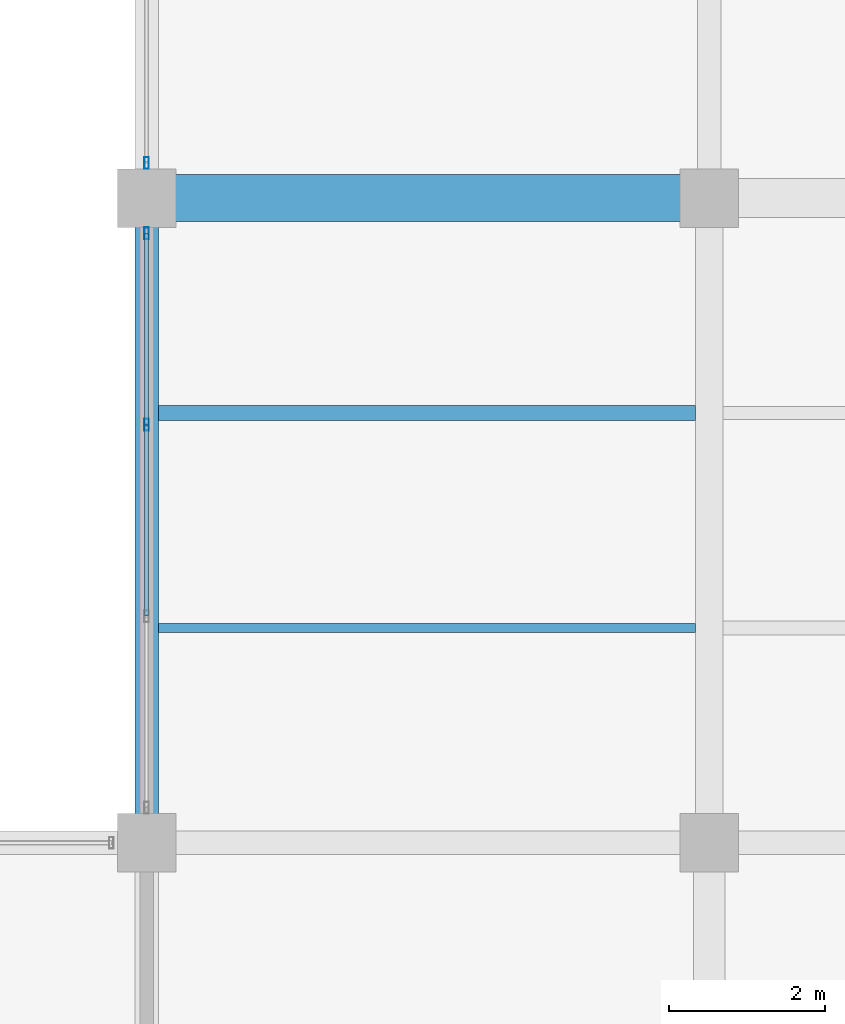
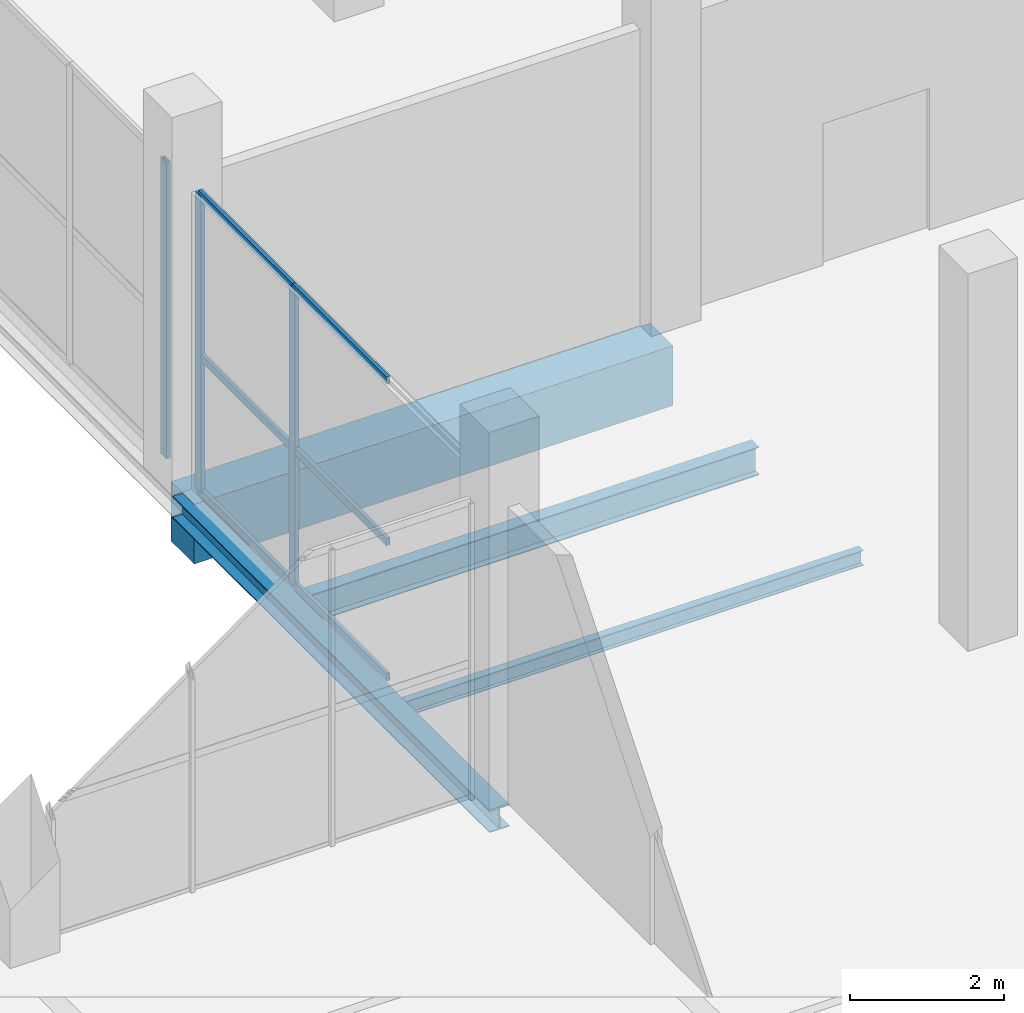
# One storey, part 106 of 144: 9 members, 4 beams, 2 elements without a shape of their own.
"""IFC4 building model written with IfcOpenShell, lengths in metres."""

from ifc_helpers import new_model, si_unit, direction, frame, origin, origin_2d, place, context, subcontext, project, spatial, rectangle, hollow_rectangle, i_section, extrude, material, layer, layer_set, material_profile, profile_set, type_object, element, aggregate, save


model = new_model("IFC4")

# Units and contexts
model_context = context("Model", 3, precision=1e-05, world=origin(), true_north=direction((0.0, 1.0)))
body_context = subcontext(model_context, "Body", "Model", "MODEL_VIEW")
ifc_project = project(units=[si_unit("LENGTHUNIT", "METRE"), si_unit("AREAUNIT", "SQUARE_METRE"), si_unit("VOLUMEUNIT", "CUBIC_METRE"), si_unit("PLANEANGLEUNIT", "RADIAN"), si_unit("MASSUNIT", "GRAM", prefix="KILO")], contexts=[model_context])

# Site, building, storey
site_placement = place(None, origin())
site = spatial("IfcSite", under=ifc_project, at=site_placement, CompositionType="ELEMENT")
building_placement = place(site_placement, origin())
building = spatial("IfcBuilding", under=site, at=building_placement, Name="Sundgate Opera House", CompositionType="ELEMENT")
storey_placement = place(building_placement, origin())
storey = spatial("IfcBuildingStorey", under=building, at=storey_placement, Name="L00", CompositionType="ELEMENT", Elevation=0.0)

# Beams
ifc_material_1 = material(Name="Steel S355J2", Category="steel")
ifc_material_profile_1 = material_profile(ifc_material_1, i_section(OverallWidth=0.300048828125, OverallDepth=0.35009765625, WebThickness=0.010009765625, FlangeThickness=0.017578125, at=origin_2d()), Name="HEA 360")
ifc_profile_set_1 = profile_set([ifc_material_profile_1], Name="Steel S355J2")
beam_type_1 = type_object("IfcBeamType", Name="BM-GR-HEA360", PredefinedType="BEAM", material=ifc_profile_set_1)
beam_1_placement = place(storey_placement, frame((153.0, 87.0, -0.4951171875), z_axis=(0.0, 1.0, 0.0), x_axis=(-1.0, 0.0, 0.0)))
element("IfcBeam", 1, at=beam_1_placement, inside=storey, type_object=beam_type_1, Name="L00 Primary N-S Girder B0291", PredefinedType="BEAM", context=body_context, shape_type="SweptSolid", body=[
    extrude(i_section(OverallWidth=0.300048828125, OverallDepth=0.35009765625, WebThickness=0.010009765625, FlangeThickness=0.017578125, at=origin_2d()), origin(), (0.0, 0.0, 1.0), 8.25),
])
ifc_material_2 = material(Name="Steel S355J2", Category="steel")
ifc_material_profile_2 = material_profile(ifc_material_2, i_section(OverallWidth=0.1201171875, OverallDepth=0.239990234375, WebThickness=0.006103515625, FlangeThickness=0.009765625, at=origin_2d()), Name="IPE 240")
ifc_profile_set_2 = profile_set([ifc_material_profile_2], Name="Steel S355J2")
beam_type_2 = type_object("IfcBeamType", Name="BM-JS-IPE240", PredefinedType="JOIST", material=ifc_profile_set_2)
beam_2_placement = place(storey_placement, frame((153.14990234375, 89.75, -0.43994140625), z_axis=(1.0, 0.0, 0.0), x_axis=(0.0, 1.0, 0.0)))
element("IfcBeam", 2, at=beam_2_placement, inside=storey, type_object=beam_type_2, Name="L00 Secondary Floor Joist B0944", PredefinedType="JOIST", context=body_context, shape_type="SweptSolid", body=[
    extrude(i_section(OverallWidth=0.1201171875, OverallDepth=0.239990234375, WebThickness=0.006103515625, FlangeThickness=0.009765625, at=origin_2d()), origin(), (0.0, 0.0, 1.0), 6.875),
])
ifc_material_3 = material(Name="Steel S355J2", Category="steel")
ifc_material_profile_3 = material_profile(ifc_material_3, i_section(OverallWidth=0.18994140625, OverallDepth=0.449951171875, WebThickness=0.009521484375, FlangeThickness=0.0146484375, at=origin_2d()), Name="IPE 450")
ifc_profile_set_3 = profile_set([ifc_material_profile_3], Name="Steel S355J2")
beam_type_3 = type_object("IfcBeamType", Name="BM-JS-IPE450", PredefinedType="JOIST", material=ifc_profile_set_3)
beam_3_placement = place(storey_placement, frame((153.14990234375, 92.5, -0.544921875), z_axis=(1.0, 0.0, 0.0), x_axis=(0.0, 1.0, 0.0)))
element("IfcBeam", 3, at=beam_3_placement, inside=storey, type_object=beam_type_3, Name="L00 Secondary Floor Joist B0945", PredefinedType="JOIST", context=body_context, shape_type="SweptSolid", body=[
    extrude(i_section(OverallWidth=0.18994140625, OverallDepth=0.449951171875, WebThickness=0.009521484375, FlangeThickness=0.0146484375, at=origin_2d()), origin(), (0.0, 0.0, 1.0), 6.875),
])
ifc_material_4 = material(Name="Concrete C40/50", Category="concrete")
ifc_material_profile_4 = material_profile(ifc_material_4, rectangle(XDim=0.60009765625, YDim=0.949951171875, at=origin_2d()), Name="RC 600x950")
ifc_profile_set_4 = profile_set([ifc_material_profile_4], Name="Concrete C40/50")
beam_type_4 = type_object("IfcBeamType", Name="BM-RC-600x950", PredefinedType="BEAM", material=ifc_profile_set_4)
beam_4_placement = place(storey_placement, frame((153.0, 95.25, -0.794921875), z_axis=(1.0, 0.0, 0.0), x_axis=(0.0, 1.0, 0.0)))
element("IfcBeam", 4, at=beam_4_placement, inside=storey, type_object=beam_type_4, Name="L00 Primary E-W Girder B0537", PredefinedType="BEAM", context=body_context, shape_type="SweptSolid", body=[
    extrude(rectangle(XDim=0.60009765625, YDim=0.949951171875, at=origin_2d()), origin(), (0.0, 0.0, 1.0), 7.199951171875),
])

# Curtain wall, members
ifc_material_5 = material(Name="Anodized aluminium and low-iron glass", Category="aluminium")
ifc_layer = layer(ifc_material_5, 0.159912109375)
ifc_layer_set = layer_set([ifc_layer], Name="Anodized aluminium and low-iron glass")
curtain_wall_type = type_object("IfcCurtainWallType", Name="CW-STUDIO-DARK", PredefinedType="NOTDEFINED", material=ifc_layer_set)
curtain_wall_1_placement = place(storey_placement, origin())
curtain_wall_1 = element("IfcCurtainWall", 5, at=curtain_wall_1_placement, inside=storey, type_object=curtain_wall_type, Name="L00 Curtain Wall CW089", PredefinedType="NOTDEFINED")
ifc_material_6 = material(Name="Anodized aluminium EN AW-6063", Category="aluminium")
ifc_material_profile_5 = material_profile(ifc_material_6, hollow_rectangle(XDim=0.06005859375, YDim=0.14990234375, WallThickness=0.00390625, at=origin_2d()), Name="CWM 150x60x4")
ifc_profile_set_5 = profile_set([ifc_material_profile_5], Name="Anodized aluminium EN AW-6063")
member_type_1 = type_object("IfcMemberType", Name="CWM-ALU-150x60", PredefinedType="MULLION", material=ifc_profile_set_5)
member_1_placement = place(storey_placement, frame((153.0, 94.800048828125, 0.0), z_axis=(0.0, 0.0, 1.0), x_axis=(1.0, 0.0, 0.0)))
member_1 = element("IfcMember", 6, at=member_1_placement, type_object=member_type_1, Name="CW089 Mullion 1", PredefinedType="MULLION", context=body_context, shape_type="SweptSolid", body=[
    extrude(hollow_rectangle(XDim=0.06005859375, YDim=0.14990234375, WallThickness=0.00390625, at=origin_2d()), origin(), (0.0, 0.0, 1.0), 4.715087890625),
])
member_2_placement = place(storey_placement, frame((153.0, 92.35009765625, 0.0), z_axis=(0.0, 0.0, 1.0), x_axis=(1.0, 0.0, 0.0)))
member_2 = element("IfcMember", 7, at=member_2_placement, type_object=member_type_1, Name="CW089 Mullion 2", PredefinedType="MULLION", context=body_context, shape_type="SweptSolid", body=[
    extrude(hollow_rectangle(XDim=0.06005859375, YDim=0.14990234375, WallThickness=0.00390625, at=origin_2d()), origin(), (0.0, 0.0, 1.0), 4.715087890625),
])

# Curtain wall, member
curtain_wall_2_placement = place(storey_placement, origin())
curtain_wall_2 = element("IfcCurtainWall", 8, at=curtain_wall_2_placement, inside=storey, type_object=curtain_wall_type, Name="L00 Curtain Wall CW091", PredefinedType="NOTDEFINED")
member_3_placement = place(storey_placement, frame((153.0, 95.699951171875, 0.0), z_axis=(0.0, 0.0, 1.0), x_axis=(1.0, 0.0, 0.0)))
member_3 = element("IfcMember", 9, at=member_3_placement, type_object=member_type_1, Name="CW091 Mullion 4", PredefinedType="MULLION", context=body_context, shape_type="SweptSolid", body=[
    extrude(hollow_rectangle(XDim=0.06005859375, YDim=0.14990234375, WallThickness=0.00390625, at=origin_2d()), origin(), (0.0, 0.0, 1.0), 4.715087890625),
])
aggregate(curtain_wall_2, [member_3])

# Member
ifc_material_7 = material(Name="Anodized aluminium EN AW-6063", Category="aluminium")
ifc_material_profile_6 = material_profile(ifc_material_7, hollow_rectangle(XDim=0.054931640625, YDim=0.1201171875, WallThickness=0.00390625, at=origin_2d()), Name="CWT 120x55x4")
ifc_profile_set_6 = profile_set([ifc_material_profile_6], Name="Anodized aluminium EN AW-6063")
member_type_2 = type_object("IfcMemberType", Name="CWT-ALU-120x55", PredefinedType="USERDEFINED", material=ifc_profile_set_6)
member_4_placement = place(storey_placement, frame((153.0, 94.800048828125, 0.0), z_axis=(0.0, -1.0, 0.0), x_axis=(1.0, 0.0, 0.0)))
member_4 = element("IfcMember", 10, at=member_4_placement, type_object=member_type_2, Name="CW089 Transom 1", ObjectType="TRANSOM", PredefinedType="USERDEFINED", context=body_context, shape_type="SweptSolid", body=[
    extrude(hollow_rectangle(XDim=0.054931640625, YDim=0.1201171875, WallThickness=0.00390625, at=origin_2d()), origin(), (0.0, 0.0, 1.0), 2.449951171875),
])

member_5_placement = place(storey_placement, frame((153.0, 94.800048828125, 2.14990234375), z_axis=(0.0, -1.0, 0.0), x_axis=(1.0, 0.0, 0.0)))
member_5 = element("IfcMember", 11, at=member_5_placement, type_object=member_type_2, Name="CW089 Transom 2", ObjectType="TRANSOM", PredefinedType="USERDEFINED", context=body_context, shape_type="SweptSolid", body=[
    extrude(hollow_rectangle(XDim=0.054931640625, YDim=0.1201171875, WallThickness=0.00390625, at=origin_2d()), origin(), (0.0, 0.0, 1.0), 2.449951171875),
])

member_6_placement = place(storey_placement, frame((153.0, 94.800048828125, 4.715087890625), z_axis=(0.0, -1.0, 0.0), x_axis=(1.0, 0.0, 0.0)))
member_6 = element("IfcMember", 12, at=member_6_placement, type_object=member_type_2, Name="CW089 Transom 3", ObjectType="TRANSOM", PredefinedType="USERDEFINED", context=body_context, shape_type="SweptSolid", body=[
    extrude(hollow_rectangle(XDim=0.054931640625, YDim=0.1201171875, WallThickness=0.00390625, at=origin_2d()), origin(), (0.0, 0.0, 1.0), 2.449951171875),
])

member_7_placement = place(storey_placement, frame((153.0, 92.35009765625, 0.0), z_axis=(0.0, -1.0, 0.0), x_axis=(1.0, 0.0, 0.0)))
member_7 = element("IfcMember", 13, at=member_7_placement, type_object=member_type_2, Name="CW089 Transom 4", ObjectType="TRANSOM", PredefinedType="USERDEFINED", context=body_context, shape_type="SweptSolid", body=[
    extrude(hollow_rectangle(XDim=0.054931640625, YDim=0.1201171875, WallThickness=0.00390625, at=origin_2d()), origin(), (0.0, 0.0, 1.0), 2.4501953125),
])

member_8_placement = place(storey_placement, frame((153.0, 92.35009765625, 2.14990234375), z_axis=(0.0, -1.0, 0.0), x_axis=(1.0, 0.0, 0.0)))
member_8 = element("IfcMember", 14, at=member_8_placement, type_object=member_type_2, Name="CW089 Transom 5", ObjectType="TRANSOM", PredefinedType="USERDEFINED", context=body_context, shape_type="SweptSolid", body=[
    extrude(hollow_rectangle(XDim=0.054931640625, YDim=0.1201171875, WallThickness=0.00390625, at=origin_2d()), origin(), (0.0, 0.0, 1.0), 2.4501953125),
])

member_9_placement = place(storey_placement, frame((153.0, 92.35009765625, 4.715087890625), z_axis=(0.0, -1.0, 0.0), x_axis=(1.0, 0.0, 0.0)))
member_9 = element("IfcMember", 15, at=member_9_placement, type_object=member_type_2, Name="CW089 Transom 6", ObjectType="TRANSOM", PredefinedType="USERDEFINED", context=body_context, shape_type="SweptSolid", body=[
    extrude(hollow_rectangle(XDim=0.054931640625, YDim=0.1201171875, WallThickness=0.00390625, at=origin_2d()), origin(), (0.0, 0.0, 1.0), 2.4501953125),
])

aggregate(curtain_wall_1, [member_1, member_2, member_4, member_5, member_6, member_7, member_8, member_9])

save(model, "model.ifc")
